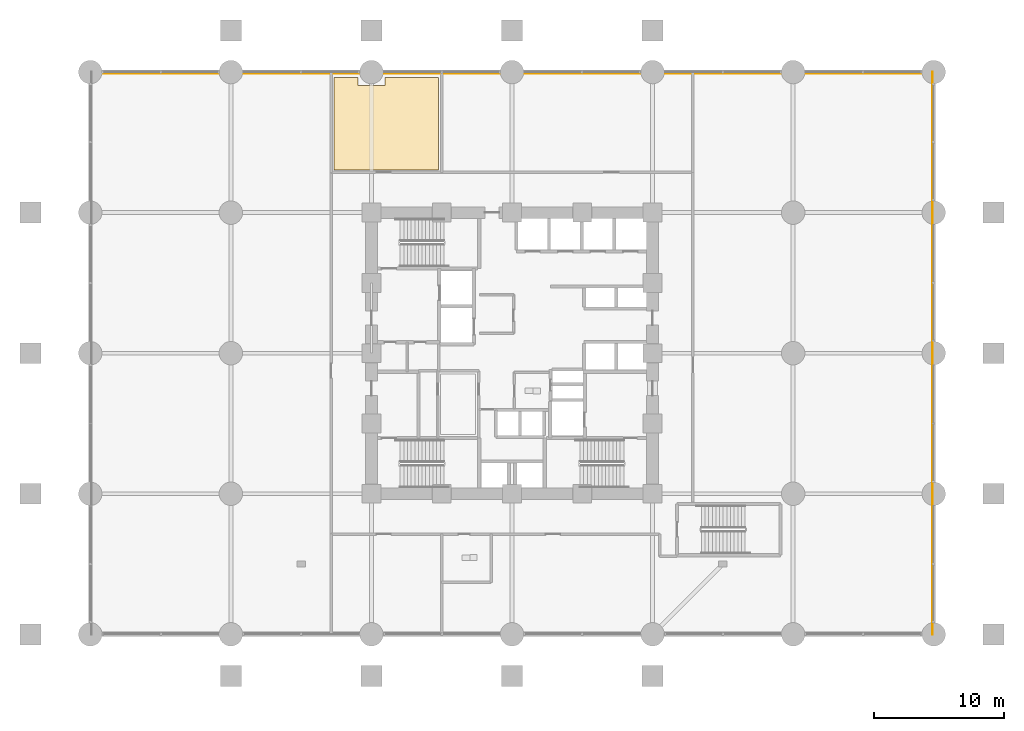
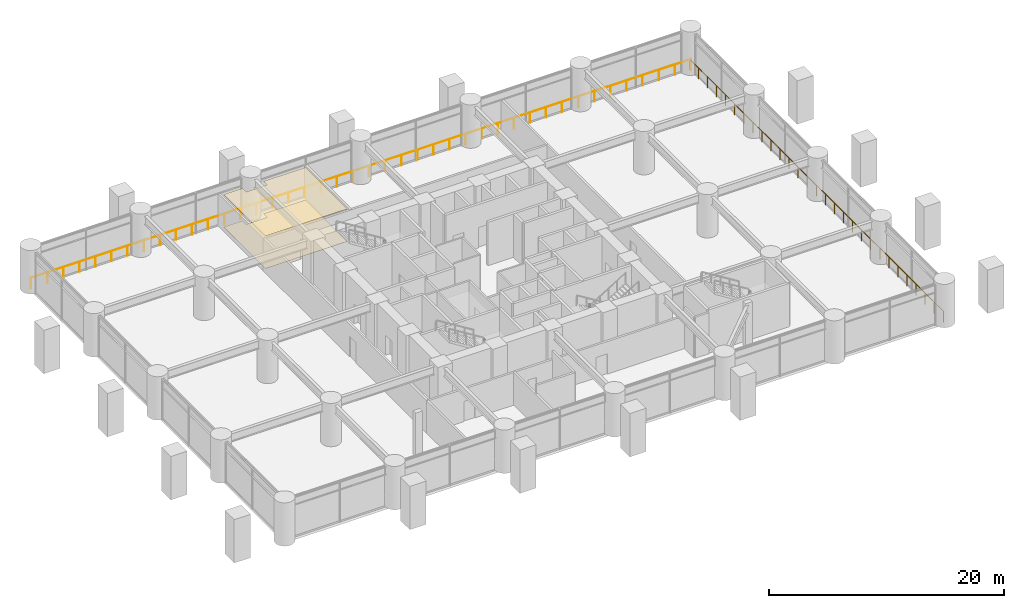
# One storey, part 30 of 31: 2 coverings, 2 railings.
"""IFC4 building model written with IfcOpenShell, lengths in metres."""

from ifc_helpers import new_model, si_unit, direction, frame, origin, origin_2d, place, context, subcontext, project, spatial, polyline, circle, outline, extrude, material, layer, layer_set, type_object, element, save


model = new_model("IFC4")

# Units and contexts
model_context = context("Model", 3, precision=1e-05, world=origin(), true_north=direction((0.0, 1.0)))
body_context = subcontext(model_context, "Body", "Model", "MODEL_VIEW")
ifc_project = project(units=[si_unit("LENGTHUNIT", "METRE"), si_unit("AREAUNIT", "SQUARE_METRE"), si_unit("VOLUMEUNIT", "CUBIC_METRE"), si_unit("PLANEANGLEUNIT", "RADIAN"), si_unit("MASSUNIT", "GRAM", prefix="KILO")], contexts=[model_context])

# Site, building, storey
site_placement = place(None, origin())
site = spatial("IfcSite", under=ifc_project, at=site_placement, CompositionType="ELEMENT")
building_placement = place(site_placement, origin())
building = spatial("IfcBuilding", under=site, at=building_placement, Name="Surkhivell Harbour Commons", CompositionType="ELEMENT")
storey_placement = place(building_placement, frame((0.0, 0.0, 4.5)))
storey = spatial("IfcBuildingStorey", under=building, at=storey_placement, Name="L01", CompositionType="ELEMENT", Elevation=4.5)

# Coverings
ifc_material_1 = material(Name="Moisture-resistant gypsum acoustic ceiling board", Category="other")
ifc_layer_1 = layer(ifc_material_1, 0.030029296875)
ifc_layer_set_1 = layer_set([ifc_layer_1], Name="Moisture-resistant gypsum acoustic ceiling board")
covering_type_1 = type_object("IfcCoveringType", Name="COV-CEIL-GYP", PredefinedType="CEILING", material=ifc_layer_set_1)
covering_1_placement = place(storey_placement, frame((0.0, 0.0, 3.368896484375)))
element("IfcCovering", 1, at=covering_1_placement, inside=storey, type_object=covering_type_1, Name="L01 Suspended Acoustic Ceiling 2", PredefinedType="CEILING", context=body_context, shape_type="SweptSolid", body=[
    extrude(outline(polyline([(-5.639892578125, 21.179931640625), (-9.760009765625, 21.179931640625), (-9.760009765625, 20.56005859375), (-11.840087890625, 20.56005859375), (-11.840087890625, 21.179931640625), (-13.679931640625, 21.179931640625), (-13.679931640625, 14.070068359375), (-5.639892578125, 14.070068359375), (-5.639892578125, 21.179931640625)])), origin(), (0.0, 0.0, 1.0), 0.030029296875),
])
ifc_material_2 = material(Name="Honed terrazzo and porcelain floor finish", Category="masonry")
ifc_layer_2 = layer(ifc_material_2, 0.02490234375)
ifc_layer_set_2 = layer_set([ifc_layer_2], Name="Honed terrazzo and porcelain floor finish")
covering_type_2 = type_object("IfcCoveringType", Name="COV-FLR-TER", PredefinedType="FLOORING", material=ifc_layer_set_2)
covering_2_placement = place(storey_placement, origin())
element("IfcCovering", 2, at=covering_2_placement, inside=storey, type_object=covering_type_2, Name="L01 Interior Floor Finish 2", PredefinedType="FLOORING", context=body_context, shape_type="SweptSolid", body=[
    extrude(outline(polyline([(-5.639892578125, 21.179931640625), (-9.760009765625, 21.179931640625), (-9.760009765625, 20.56005859375), (-11.840087890625, 20.56005859375), (-11.840087890625, 21.179931640625), (-13.679931640625, 21.179931640625), (-13.679931640625, 14.070068359375), (-5.639892578125, 14.070068359375), (-5.639892578125, 21.179931640625)])), origin(), (0.0, 0.0, 1.0), 0.02490234375),
])

# Railings
ifc_material_3 = material(Name="Laminated safety glass and stainless steel S355 balustrade", Category="steel")
railing_type = type_object("IfcRailingType", Name="RAL-BAL-1150", PredefinedType="BALUSTRADE", material=ifc_material_3)
railing_1_placement = place(storey_placement, frame((32.300048828125, -21.60009765625, 0.0)))
element("IfcRailing", 3, at=railing_1_placement, inside=storey, type_object=railing_type, Name="L01 Perimeter Safety Guard 02", PredefinedType="BALUSTRADE", context=body_context, shape_type="SweptSolid", body=[
    extrude(circle(Radius=0.02392578125, at=origin_2d()), frame((0.0, 0.0, 1.1259765625), z_axis=(0.0, 1.0, 0.0), x_axis=(-1.0, 0.0, 0.0)), (0.0, 0.0, 1.0), 43.2001953125),
    extrude(circle(Radius=0.02099609375, at=origin_2d()), origin(), (0.0, 0.0, 1.0), 1.101806640625),
    extrude(circle(Radius=0.02099609375, at=origin_2d()), frame((0.0, 1.54296875, 0.0)), (0.0, 0.0, 1.0), 1.101806640625),
    extrude(circle(Radius=0.02099609375, at=origin_2d()), frame((0.0, 3.085693359375, 0.0)), (0.0, 0.0, 1.0), 1.101806640625),
    extrude(circle(Radius=0.02099609375, at=origin_2d()), frame((0.0, 4.628662109375, 0.0)), (0.0, 0.0, 1.0), 1.101806640625),
    extrude(circle(Radius=0.02099609375, at=origin_2d()), frame((0.0, 6.17138671875, 0.0)), (0.0, 0.0, 1.0), 1.101806640625),
    extrude(circle(Radius=0.02099609375, at=origin_2d()), frame((0.0, 7.71435546875, 0.0)), (0.0, 0.0, 1.0), 1.101806640625),
    extrude(circle(Radius=0.02099609375, at=origin_2d()), frame((0.0, 9.257080078125, 0.0)), (0.0, 0.0, 1.0), 1.101806640625),
    extrude(circle(Radius=0.02099609375, at=origin_2d()), frame((0.0, 10.800048828125, 0.0)), (0.0, 0.0, 1.0), 1.101806640625),
    extrude(circle(Radius=0.02099609375, at=origin_2d()), frame((0.0, 12.343017578125, 0.0)), (0.0, 0.0, 1.0), 1.101806640625),
    extrude(circle(Radius=0.02099609375, at=origin_2d()), frame((0.0, 13.8857421875, 0.0)), (0.0, 0.0, 1.0), 1.101806640625),
    extrude(circle(Radius=0.02099609375, at=origin_2d()), frame((0.0, 15.4287109375, 0.0)), (0.0, 0.0, 1.0), 1.101806640625),
    extrude(circle(Radius=0.02099609375, at=origin_2d()), frame((0.0, 16.971435546875, 0.0)), (0.0, 0.0, 1.0), 1.101806640625),
    extrude(circle(Radius=0.02099609375, at=origin_2d()), frame((0.0, 18.514404296875, 0.0)), (0.0, 0.0, 1.0), 1.101806640625),
    extrude(circle(Radius=0.02099609375, at=origin_2d()), frame((0.0, 20.05712890625, 0.0)), (0.0, 0.0, 1.0), 1.101806640625),
    extrude(circle(Radius=0.02099609375, at=origin_2d()), frame((0.0, 21.60009765625, 0.0)), (0.0, 0.0, 1.0), 1.101806640625),
    extrude(circle(Radius=0.02099609375, at=origin_2d()), frame((0.0, 23.14306640625, 0.0)), (0.0, 0.0, 1.0), 1.101806640625),
    extrude(circle(Radius=0.02099609375, at=origin_2d()), frame((0.0, 24.685791015625, 0.0)), (0.0, 0.0, 1.0), 1.101806640625),
    extrude(circle(Radius=0.02099609375, at=origin_2d()), frame((0.0, 26.228759765625, 0.0)), (0.0, 0.0, 1.0), 1.101806640625),
    extrude(circle(Radius=0.02099609375, at=origin_2d()), frame((0.0, 27.771484375, 0.0)), (0.0, 0.0, 1.0), 1.101806640625),
    extrude(circle(Radius=0.02099609375, at=origin_2d()), frame((0.0, 29.314453125, 0.0)), (0.0, 0.0, 1.0), 1.101806640625),
    extrude(circle(Radius=0.02099609375, at=origin_2d()), frame((0.0, 30.857177734375, 0.0)), (0.0, 0.0, 1.0), 1.101806640625),
    extrude(circle(Radius=0.02099609375, at=origin_2d()), frame((0.0, 32.400146484375, 0.0)), (0.0, 0.0, 1.0), 1.101806640625),
    extrude(circle(Radius=0.02099609375, at=origin_2d()), frame((0.0, 33.943115234375, 0.0)), (0.0, 0.0, 1.0), 1.101806640625),
    extrude(circle(Radius=0.02099609375, at=origin_2d()), frame((0.0, 35.48583984375, 0.0)), (0.0, 0.0, 1.0), 1.101806640625),
    extrude(circle(Radius=0.02099609375, at=origin_2d()), frame((0.0, 37.02880859375, 0.0)), (0.0, 0.0, 1.0), 1.101806640625),
    extrude(circle(Radius=0.02099609375, at=origin_2d()), frame((0.0, 38.571533203125, 0.0)), (0.0, 0.0, 1.0), 1.101806640625),
    extrude(circle(Radius=0.02099609375, at=origin_2d()), frame((0.0, 40.114501953125, 0.0)), (0.0, 0.0, 1.0), 1.101806640625),
    extrude(circle(Radius=0.02099609375, at=origin_2d()), frame((0.0, 41.6572265625, 0.0)), (0.0, 0.0, 1.0), 1.101806640625),
    extrude(circle(Radius=0.02099609375, at=origin_2d()), frame((0.0, 43.2001953125, 0.0)), (0.0, 0.0, 1.0), 1.101806640625),
])
railing_2_placement = place(storey_placement, frame((32.39990234375, 21.5, 0.0)))
element("IfcRailing", 4, at=railing_2_placement, inside=storey, type_object=railing_type, Name="L01 Perimeter Safety Guard 03", PredefinedType="BALUSTRADE", context=body_context, shape_type="SweptSolid", body=[
    extrude(circle(Radius=0.02392578125, at=origin_2d()), frame((0.0, 0.0, 1.1259765625), z_axis=(-1.0, 0.0, 0.0), x_axis=(0.0, -1.0, 0.0)), (0.0, 0.0, 1.0), 64.7998046875),
    extrude(circle(Radius=0.02099609375, at=origin_2d()), origin(), (0.0, 0.0, 1.0), 1.101806640625),
    extrude(circle(Radius=0.02099609375, at=origin_2d()), frame((-1.58056640625, 0.0, 0.0)), (0.0, 0.0, 1.0), 1.101806640625),
    extrude(circle(Radius=0.02099609375, at=origin_2d()), frame((-3.160888671875, 0.0, 0.0)), (0.0, 0.0, 1.0), 1.101806640625),
    extrude(circle(Radius=0.02099609375, at=origin_2d()), frame((-4.741455078125, 0.0, 0.0)), (0.0, 0.0, 1.0), 1.101806640625),
    extrude(circle(Radius=0.02099609375, at=origin_2d()), frame((-6.322021484375, 0.0, 0.0)), (0.0, 0.0, 1.0), 1.101806640625),
    extrude(circle(Radius=0.02099609375, at=origin_2d()), frame((-7.90234375, 0.0, 0.0)), (0.0, 0.0, 1.0), 1.101806640625),
    extrude(circle(Radius=0.02099609375, at=origin_2d()), frame((-9.48291015625, 0.0, 0.0)), (0.0, 0.0, 1.0), 1.101806640625),
    extrude(circle(Radius=0.02099609375, at=origin_2d()), frame((-11.0634765625, 0.0, 0.0)), (0.0, 0.0, 1.0), 1.101806640625),
    extrude(circle(Radius=0.02099609375, at=origin_2d()), frame((-12.643798828125, 0.0, 0.0)), (0.0, 0.0, 1.0), 1.101806640625),
    extrude(circle(Radius=0.02099609375, at=origin_2d()), frame((-14.224365234375, 0.0, 0.0)), (0.0, 0.0, 1.0), 1.101806640625),
    extrude(circle(Radius=0.02099609375, at=origin_2d()), frame((-15.804931640625, 0.0, 0.0)), (0.0, 0.0, 1.0), 1.101806640625),
    extrude(circle(Radius=0.02099609375, at=origin_2d()), frame((-17.38525390625, 0.0, 0.0)), (0.0, 0.0, 1.0), 1.101806640625),
    extrude(circle(Radius=0.02099609375, at=origin_2d()), frame((-18.9658203125, 0.0, 0.0)), (0.0, 0.0, 1.0), 1.101806640625),
    extrude(circle(Radius=0.02099609375, at=origin_2d()), frame((-20.54638671875, 0.0, 0.0)), (0.0, 0.0, 1.0), 1.101806640625),
    extrude(circle(Radius=0.02099609375, at=origin_2d()), frame((-22.126708984375, 0.0, 0.0)), (0.0, 0.0, 1.0), 1.101806640625),
    extrude(circle(Radius=0.02099609375, at=origin_2d()), frame((-23.707275390625, 0.0, 0.0)), (0.0, 0.0, 1.0), 1.101806640625),
    extrude(circle(Radius=0.02099609375, at=origin_2d()), frame((-25.287841796875, 0.0, 0.0)), (0.0, 0.0, 1.0), 1.101806640625),
    extrude(circle(Radius=0.02099609375, at=origin_2d()), frame((-26.8681640625, 0.0, 0.0)), (0.0, 0.0, 1.0), 1.101806640625),
    extrude(circle(Radius=0.02099609375, at=origin_2d()), frame((-28.44873046875, 0.0, 0.0)), (0.0, 0.0, 1.0), 1.101806640625),
    extrude(circle(Radius=0.02099609375, at=origin_2d()), frame((-30.029296875, 0.0, 0.0)), (0.0, 0.0, 1.0), 1.101806640625),
    extrude(circle(Radius=0.02099609375, at=origin_2d()), frame((-31.609619140625, 0.0, 0.0)), (0.0, 0.0, 1.0), 1.101806640625),
    extrude(circle(Radius=0.02099609375, at=origin_2d()), frame((-33.190185546875, 0.0, 0.0)), (0.0, 0.0, 1.0), 1.101806640625),
    extrude(circle(Radius=0.02099609375, at=origin_2d()), frame((-34.7705078125, 0.0, 0.0)), (0.0, 0.0, 1.0), 1.101806640625),
    extrude(circle(Radius=0.02099609375, at=origin_2d()), frame((-36.35107421875, 0.0, 0.0)), (0.0, 0.0, 1.0), 1.101806640625),
    extrude(circle(Radius=0.02099609375, at=origin_2d()), frame((-37.931640625, 0.0, 0.0)), (0.0, 0.0, 1.0), 1.101806640625),
    extrude(circle(Radius=0.02099609375, at=origin_2d()), frame((-39.511962890625, 0.0, 0.0)), (0.0, 0.0, 1.0), 1.101806640625),
    extrude(circle(Radius=0.02099609375, at=origin_2d()), frame((-41.092529296875, 0.0, 0.0)), (0.0, 0.0, 1.0), 1.101806640625),
    extrude(circle(Radius=0.02099609375, at=origin_2d()), frame((-42.673095703125, 0.0, 0.0)), (0.0, 0.0, 1.0), 1.101806640625),
    extrude(circle(Radius=0.02099609375, at=origin_2d()), frame((-44.25341796875, 0.0, 0.0)), (0.0, 0.0, 1.0), 1.101806640625),
    extrude(circle(Radius=0.02099609375, at=origin_2d()), frame((-45.833984375, 0.0, 0.0)), (0.0, 0.0, 1.0), 1.101806640625),
    extrude(circle(Radius=0.02099609375, at=origin_2d()), frame((-47.41455078125, 0.0, 0.0)), (0.0, 0.0, 1.0), 1.101806640625),
    extrude(circle(Radius=0.02099609375, at=origin_2d()), frame((-48.994873046875, 0.0, 0.0)), (0.0, 0.0, 1.0), 1.101806640625),
    extrude(circle(Radius=0.02099609375, at=origin_2d()), frame((-50.575439453125, 0.0, 0.0)), (0.0, 0.0, 1.0), 1.101806640625),
    extrude(circle(Radius=0.02099609375, at=origin_2d()), frame((-52.156005859375, 0.0, 0.0)), (0.0, 0.0, 1.0), 1.101806640625),
    extrude(circle(Radius=0.02099609375, at=origin_2d()), frame((-53.736328125, 0.0, 0.0)), (0.0, 0.0, 1.0), 1.101806640625),
    extrude(circle(Radius=0.02099609375, at=origin_2d()), frame((-55.31689453125, 0.0, 0.0)), (0.0, 0.0, 1.0), 1.101806640625),
    extrude(circle(Radius=0.02099609375, at=origin_2d()), frame((-56.8974609375, 0.0, 0.0)), (0.0, 0.0, 1.0), 1.101806640625),
    extrude(circle(Radius=0.02099609375, at=origin_2d()), frame((-58.477783203125, 0.0, 0.0)), (0.0, 0.0, 1.0), 1.101806640625),
    extrude(circle(Radius=0.02099609375, at=origin_2d()), frame((-60.058349609375, 0.0, 0.0)), (0.0, 0.0, 1.0), 1.101806640625),
    extrude(circle(Radius=0.02099609375, at=origin_2d()), frame((-61.638916015625, 0.0, 0.0)), (0.0, 0.0, 1.0), 1.101806640625),
    extrude(circle(Radius=0.02099609375, at=origin_2d()), frame((-63.21923828125, 0.0, 0.0)), (0.0, 0.0, 1.0), 1.101806640625),
    extrude(circle(Radius=0.02099609375, at=origin_2d()), frame((-64.7998046875, 0.0, 0.0)), (0.0, 0.0, 1.0), 1.101806640625),
])

save(model, "model.ifc")
